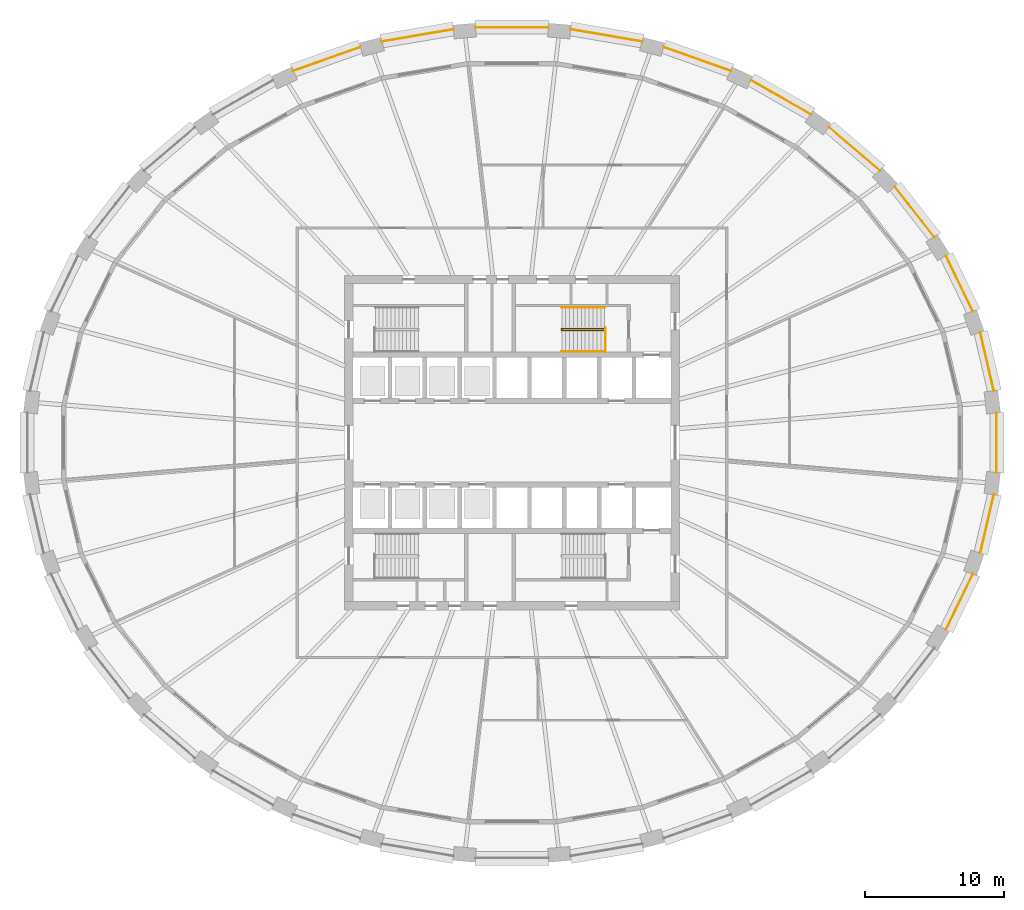
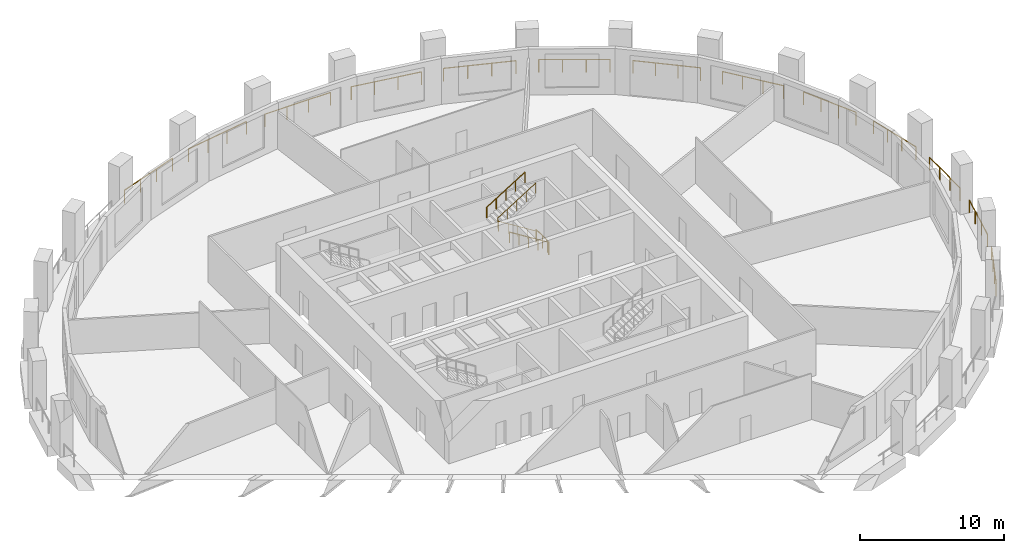
# One storey, part 9 of 10: 17 railings.
"""IFC4 building model written with IfcOpenShell, lengths in metres."""

from ifc_helpers import new_model, si_unit, direction, frame, origin, origin_2d, place, context, subcontext, project, spatial, circle, extrude, material, type_object, element, save


model = new_model("IFC4")

# Units and contexts
model_context = context("Model", 3, precision=1e-05, world=origin(), true_north=direction((0.0, 1.0)))
body_context = subcontext(model_context, "Body", "Model", "MODEL_VIEW")
ifc_project = project(units=[si_unit("LENGTHUNIT", "METRE"), si_unit("AREAUNIT", "SQUARE_METRE"), si_unit("VOLUMEUNIT", "CUBIC_METRE"), si_unit("PLANEANGLEUNIT", "RADIAN"), si_unit("MASSUNIT", "GRAM", prefix="KILO")], contexts=[model_context])

# Site, building, storey
site_placement = place(None, origin())
site = spatial("IfcSite", under=ifc_project, at=site_placement, CompositionType="ELEMENT")
building_placement = place(site_placement, origin())
building = spatial("IfcBuilding", under=site, at=building_placement, Name="Halqa Exchange Tower", CompositionType="ELEMENT")
storey_placement = place(building_placement, frame((0.0, 0.0, 125.5)))
storey = spatial("IfcBuildingStorey", under=building, at=storey_placement, Name="L28", CompositionType="ELEMENT", Elevation=125.5)

# Railings
ifc_material = material(Name="Stainless steel", Category="steel")
railing_type_1 = type_object("IfcRailingType", Name="Guard 1100 stainless steel", PredefinedType="GUARDRAIL", material=ifc_material)
railing_1_placement = place(storey_placement, frame((34.5537109375, 3.711669921875, 0.0)))
element("IfcRailing", 1, at=railing_1_placement, inside=storey, type_object=railing_type_1, Name="Loggia guard 1", PredefinedType="GUARDRAIL", context=body_context, shape_type="SweptSolid", body=[
    extrude(circle(Radius=0.02392578125, at=origin_2d()), frame((0.0, 0.0, 1.076171875), z_axis=(-0.22606051772, 0.974113259497, 0.0), x_axis=(-0.974113259497, -0.22606051772, 0.0)), (0.0, 0.0, 1.0), 4.3046875),
    extrude(circle(Radius=0.02099609375, at=origin_2d()), origin(), (0.0, 0.0, 1.0), 1.052001953125),
    extrude(circle(Radius=0.02099609375, at=origin_2d()), frame((-0.324462890625, 1.397705078125, 0.0)), (0.0, 0.0, 1.0), 1.052001953125),
    extrude(circle(Radius=0.02099609375, at=origin_2d()), frame((-0.648681640625, 2.795654296875, 0.0)), (0.0, 0.0, 1.0), 1.052001953125),
    extrude(circle(Radius=0.02099609375, at=origin_2d()), frame((-0.97314453125, 4.193359375, 0.0)), (0.0, 0.0, 1.0), 1.052001953125),
])
railing_2_placement = place(storey_placement, frame((33.051513671875, 9.404541015625, 0.0)))
element("IfcRailing", 2, at=railing_2_placement, inside=storey, type_object=railing_type_1, Name="Loggia guard 2", PredefinedType="GUARDRAIL", context=body_context, shape_type="SweptSolid", body=[
    extrude(circle(Radius=0.02392578125, at=origin_2d()), frame((0.0, 0.0, 1.076171875), z_axis=(-0.435102953397, 0.900380708337, 0.0), x_axis=(-0.900380708337, -0.435102953397, 0.0)), (0.0, 0.0, 1.0), 4.417724609375),
    extrude(circle(Radius=0.02099609375, at=origin_2d()), origin(), (0.0, 0.0, 1.0), 1.052001953125),
    extrude(circle(Radius=0.02099609375, at=origin_2d()), frame((-0.640625, 1.325927734375, 0.0)), (0.0, 0.0, 1.0), 1.052001953125),
    extrude(circle(Radius=0.02099609375, at=origin_2d()), frame((-1.281494140625, 2.651611328125, 0.0)), (0.0, 0.0, 1.0), 1.052001953125),
    extrude(circle(Radius=0.02099609375, at=origin_2d()), frame((-1.922119140625, 3.9775390625, 0.0)), (0.0, 0.0, 1.0), 1.052001953125),
])
railing_3_placement = place(storey_placement, frame((30.28955078125, 14.7333984375, 0.0)))
element("IfcRailing", 3, at=railing_3_placement, inside=storey, type_object=railing_type_1, Name="Loggia guard 3", PredefinedType="GUARDRAIL", context=body_context, shape_type="SweptSolid", body=[
    extrude(circle(Radius=0.02392578125, at=origin_2d()), frame((0.0, 0.0, 1.076171875), z_axis=(-0.614803240487, 0.788680528152, 0.0), x_axis=(-0.788680528152, -0.614803240487, 0.0)), (0.0, 0.0, 1.0), 4.5830078125),
    extrude(circle(Radius=0.02099609375, at=origin_2d()), origin(), (0.0, 0.0, 1.0), 1.052001953125),
    extrude(circle(Radius=0.02099609375, at=origin_2d()), frame((-0.939208984375, 1.204833984375, 0.0)), (0.0, 0.0, 1.0), 1.052001953125),
    extrude(circle(Radius=0.02099609375, at=origin_2d()), frame((-1.87841796875, 2.40966796875, 0.0)), (0.0, 0.0, 1.0), 1.052001953125),
    extrude(circle(Radius=0.02099609375, at=origin_2d()), frame((-2.817626953125, 3.614501953125, 0.0)), (0.0, 0.0, 1.0), 1.052001953125),
])
railing_4_placement = place(storey_placement, frame((26.372802734375, 19.49951171875, 0.0)))
element("IfcRailing", 4, at=railing_4_placement, inside=storey, type_object=railing_type_1, Name="Loggia guard 4", PredefinedType="GUARDRAIL", context=body_context, shape_type="SweptSolid", body=[
    extrude(circle(Radius=0.02392578125, at=origin_2d()), frame((0.0, 0.0, 1.076171875), z_axis=(-0.759252991119, 0.650795586553, 0.0), x_axis=(-0.650795586553, -0.759252991119, 0.0)), (0.0, 0.0, 1.0), 4.772216796875),
    extrude(circle(Radius=0.02099609375, at=origin_2d()), origin(), (0.0, 0.0, 1.0), 1.052001953125),
    extrude(circle(Radius=0.02099609375, at=origin_2d()), frame((-1.207763671875, 1.03515625, 0.0)), (0.0, 0.0, 1.0), 1.052001953125),
    extrude(circle(Radius=0.02099609375, at=origin_2d()), frame((-2.41552734375, 2.070556640625, 0.0)), (0.0, 0.0, 1.0), 1.052001953125),
    extrude(circle(Radius=0.02099609375, at=origin_2d()), frame((-3.623291015625, 3.105712890625, 0.0)), (0.0, 0.0, 1.0), 1.052001953125),
])
railing_5_placement = place(storey_placement, frame((21.44775390625, 23.5234375, 0.0)))
element("IfcRailing", 5, at=railing_5_placement, inside=storey, type_object=railing_type_1, Name="Loggia guard 5", PredefinedType="GUARDRAIL", context=body_context, shape_type="SweptSolid", body=[
    extrude(circle(Radius=0.02392578125, at=origin_2d()), frame((0.0, 0.0, 1.076171875), z_axis=(-0.867769821743, 0.496966333338, 0.0), x_axis=(-0.496966333338, -0.867769821743, 0.0)), (0.0, 0.0, 1.0), 4.955810546875),
    extrude(circle(Radius=0.02099609375, at=origin_2d()), origin(), (0.0, 0.0, 1.0), 1.052001953125),
    extrude(circle(Radius=0.02099609375, at=origin_2d()), frame((-1.43359375, 0.821044921875, 0.0)), (0.0, 0.0, 1.0), 1.052001953125),
    extrude(circle(Radius=0.02099609375, at=origin_2d()), frame((-2.866943359375, 1.641845703125, 0.0)), (0.0, 0.0, 1.0), 1.052001953125),
    extrude(circle(Radius=0.02099609375, at=origin_2d()), frame((-4.300537109375, 2.462890625, 0.0)), (0.0, 0.0, 1.0), 1.052001953125),
])
railing_6_placement = place(storey_placement, frame((15.69921875, 26.651611328125, 0.0)))
element("IfcRailing", 6, at=railing_6_placement, inside=storey, type_object=railing_type_1, Name="Loggia guard 6", PredefinedType="GUARDRAIL", context=body_context, shape_type="SweptSolid", body=[
    extrude(circle(Radius=0.02392578125, at=origin_2d()), frame((0.0, 0.0, 1.076171875), z_axis=(-0.942372826022, 0.334564577885, 0.0), x_axis=(-0.334564577885, -0.942372826022, 0.0)), (0.0, 0.0, 1.0), 5.108154296875),
    extrude(circle(Radius=0.02099609375, at=origin_2d()), origin(), (0.0, 0.0, 1.0), 1.052001953125),
    extrude(circle(Radius=0.02099609375, at=origin_2d()), frame((-1.6044921875, 0.569580078125, 0.0)), (0.0, 0.0, 1.0), 1.052001953125),
    extrude(circle(Radius=0.02099609375, at=origin_2d()), frame((-3.209228515625, 1.139404296875, 0.0)), (0.0, 0.0, 1.0), 1.052001953125),
    extrude(circle(Radius=0.02099609375, at=origin_2d()), frame((-4.813720703125, 1.708984375, 0.0)), (0.0, 0.0, 1.0), 1.052001953125),
])
railing_7_placement = place(storey_placement, frame((9.343017578125, 28.7626953125, 0.0)))
element("IfcRailing", 7, at=railing_7_placement, inside=storey, type_object=railing_type_1, Name="Loggia guard 7", PredefinedType="GUARDRAIL", context=body_context, shape_type="SweptSolid", body=[
    extrude(circle(Radius=0.02392578125, at=origin_2d()), frame((0.0, 0.0, 1.076171875), z_axis=(-0.985773772555, 0.168077569419, 0.0), x_axis=(-0.168077569419, -0.985773772555, 0.0)), (0.0, 0.0, 1.0), 5.207275390625),
    extrude(circle(Radius=0.02099609375, at=origin_2d()), origin(), (0.0, 0.0, 1.0), 1.052001953125),
    extrude(circle(Radius=0.02099609375, at=origin_2d()), frame((-1.711181640625, 0.291748046875, 0.0)), (0.0, 0.0, 1.0), 1.052001953125),
    extrude(circle(Radius=0.02099609375, at=origin_2d()), frame((-3.422119140625, 0.58349609375, 0.0)), (0.0, 0.0, 1.0), 1.052001953125),
    extrude(circle(Radius=0.02099609375, at=origin_2d()), frame((-5.13330078125, 0.875244140625, 0.0)), (0.0, 0.0, 1.0), 1.052001953125),
])
railing_8_placement = place(storey_placement, frame((2.62109375, 29.7724609375, 0.0)))
element("IfcRailing", 8, at=railing_8_placement, inside=storey, type_object=railing_type_1, Name="Loggia guard 8", PredefinedType="GUARDRAIL", context=body_context, shape_type="SweptSolid", body=[
    extrude(circle(Radius=0.02392578125, at=origin_2d()), frame((0.0, 0.0, 1.076171875), z_axis=(-1.0, 0.0, 0.0), x_axis=(0.0, -1.0, 0.0)), (0.0, 0.0, 1.0), 5.2421875),
    extrude(circle(Radius=0.02099609375, at=origin_2d()), origin(), (0.0, 0.0, 1.0), 1.052001953125),
    extrude(circle(Radius=0.02099609375, at=origin_2d()), frame((-1.747314453125, 0.0, 0.0)), (0.0, 0.0, 1.0), 1.052001953125),
    extrude(circle(Radius=0.02099609375, at=origin_2d()), frame((-3.494873046875, 0.0, 0.0)), (0.0, 0.0, 1.0), 1.052001953125),
    extrude(circle(Radius=0.02099609375, at=origin_2d()), frame((-5.2421875, 0.0, 0.0)), (0.0, 0.0, 1.0), 1.052001953125),
])
railing_9_placement = place(storey_placement, frame((-4.209716796875, 29.637939453125, 0.0)))
element("IfcRailing", 9, at=railing_9_placement, inside=storey, type_object=railing_type_1, Name="Loggia guard 9", PredefinedType="GUARDRAIL", context=body_context, shape_type="SweptSolid", body=[
    extrude(circle(Radius=0.02392578125, at=origin_2d()), frame((0.0, 0.0, 1.076171875), z_axis=(-0.985773772555, -0.168077569419, 0.0), x_axis=(0.168077569419, -0.985773772555, 0.0)), (0.0, 0.0, 1.0), 5.207275390625),
    extrude(circle(Radius=0.02099609375, at=origin_2d()), origin(), (0.0, 0.0, 1.0), 1.052001953125),
    extrude(circle(Radius=0.02099609375, at=origin_2d()), frame((-1.711181640625, -0.291748046875, 0.0)), (0.0, 0.0, 1.0), 1.052001953125),
    extrude(circle(Radius=0.02099609375, at=origin_2d()), frame((-3.422119140625, -0.58349609375, 0.0)), (0.0, 0.0, 1.0), 1.052001953125),
    extrude(circle(Radius=0.02099609375, at=origin_2d()), frame((-5.13330078125, -0.875244140625, 0.0)), (0.0, 0.0, 1.0), 1.052001953125),
])
railing_10_placement = place(storey_placement, frame((-10.885498046875, 28.360595703125, 0.0)))
element("IfcRailing", 10, at=railing_10_placement, inside=storey, type_object=railing_type_1, Name="Loggia guard 10", PredefinedType="GUARDRAIL", context=body_context, shape_type="SweptSolid", body=[
    extrude(circle(Radius=0.02392578125, at=origin_2d()), frame((0.0, 0.0, 1.076171875), z_axis=(-0.942372826022, -0.334564577885, 0.0), x_axis=(0.334564577885, -0.942372826022, 0.0)), (0.0, 0.0, 1.0), 5.108154296875),
    extrude(circle(Radius=0.02099609375, at=origin_2d()), origin(), (0.0, 0.0, 1.0), 1.052001953125),
    extrude(circle(Radius=0.02099609375, at=origin_2d()), frame((-1.6044921875, -0.569580078125, 0.0)), (0.0, 0.0, 1.0), 1.052001953125),
    extrude(circle(Radius=0.02099609375, at=origin_2d()), frame((-3.209228515625, -1.139404296875, 0.0)), (0.0, 0.0, 1.0), 1.052001953125),
    extrude(circle(Radius=0.02099609375, at=origin_2d()), frame((-4.813720703125, -1.708984375, 0.0)), (0.0, 0.0, 1.0), 1.052001953125),
])
railing_11_placement = place(storey_placement, frame((31.12939453125, -13.382080078125, 0.0)))
element("IfcRailing", 11, at=railing_11_placement, inside=storey, type_object=railing_type_1, Name="Loggia guard 30", PredefinedType="GUARDRAIL", context=body_context, shape_type="SweptSolid", body=[
    extrude(circle(Radius=0.02392578125, at=origin_2d()), frame((0.0, 0.0, 1.076171875), z_axis=(0.435102953397, 0.900380708337, 0.0), x_axis=(-0.900380708337, 0.435102953397, 0.0)), (0.0, 0.0, 1.0), 4.417724609375),
    extrude(circle(Radius=0.02099609375, at=origin_2d()), origin(), (0.0, 0.0, 1.0), 1.052001953125),
    extrude(circle(Radius=0.02099609375, at=origin_2d()), frame((0.640625, 1.325927734375, 0.0)), (0.0, 0.0, 1.0), 1.052001953125),
    extrude(circle(Radius=0.02099609375, at=origin_2d()), frame((1.281494140625, 2.651611328125, 0.0)), (0.0, 0.0, 1.0), 1.052001953125),
    extrude(circle(Radius=0.02099609375, at=origin_2d()), frame((1.922119140625, 3.9775390625, 0.0)), (0.0, 0.0, 1.0), 1.052001953125),
])
railing_12_placement = place(storey_placement, frame((33.58056640625, -7.905029296875, 0.0)))
element("IfcRailing", 12, at=railing_12_placement, inside=storey, type_object=railing_type_1, Name="Loggia guard 31", PredefinedType="GUARDRAIL", context=body_context, shape_type="SweptSolid", body=[
    extrude(circle(Radius=0.02392578125, at=origin_2d()), frame((0.0, 0.0, 1.076171875), z_axis=(0.22606051772, 0.974113259497, 0.0), x_axis=(-0.974113259497, 0.22606051772, 0.0)), (0.0, 0.0, 1.0), 4.3046875),
    extrude(circle(Radius=0.02099609375, at=origin_2d()), origin(), (0.0, 0.0, 1.0), 1.052001953125),
    extrude(circle(Radius=0.02099609375, at=origin_2d()), frame((0.324462890625, 1.397705078125, 0.0)), (0.0, 0.0, 1.0), 1.052001953125),
    extrude(circle(Radius=0.02099609375, at=origin_2d()), frame((0.648681640625, 2.795654296875, 0.0)), (0.0, 0.0, 1.0), 1.052001953125),
    extrude(circle(Radius=0.02099609375, at=origin_2d()), frame((0.97314453125, 4.193359375, 0.0)), (0.0, 0.0, 1.0), 1.052001953125),
])
railing_13_placement = place(storey_placement, frame((34.734619140625, -2.13232421875, 0.0)))
element("IfcRailing", 13, at=railing_13_placement, inside=storey, type_object=railing_type_1, Name="Loggia guard 32", PredefinedType="GUARDRAIL", context=body_context, shape_type="SweptSolid", body=[
    extrude(circle(Radius=0.02392578125, at=origin_2d()), frame((0.0, 0.0, 1.076171875), z_axis=(0.0, 1.0, 0.0), x_axis=(-1.0, 0.0, 0.0)), (0.0, 0.0, 1.0), 4.2646484375),
    extrude(circle(Radius=0.02099609375, at=origin_2d()), origin(), (0.0, 0.0, 1.0), 1.052001953125),
    extrude(circle(Radius=0.02099609375, at=origin_2d()), frame((0.0, 1.421630859375, 0.0)), (0.0, 0.0, 1.0), 1.052001953125),
    extrude(circle(Radius=0.02099609375, at=origin_2d()), frame((0.0, 2.843017578125, 0.0)), (0.0, 0.0, 1.0), 1.052001953125),
    extrude(circle(Radius=0.02099609375, at=origin_2d()), frame((0.0, 4.2646484375, 0.0)), (0.0, 0.0, 1.0), 1.052001953125),
])
railing_type_2 = type_object("IfcRailingType", Name="Stair handrail 900", PredefinedType="HANDRAIL", material=ifc_material)
railing_14_placement = place(storey_placement, frame((6.64990234375, 8.06005859375, 0.175048828125)))
element("IfcRailing", 14, at=railing_14_placement, inside=storey, type_object=railing_type_2, Name="Handrail ST2.1", PredefinedType="HANDRAIL", context=body_context, shape_type="SweptSolid", body=[
    extrude(circle(Radius=0.02392578125, at=origin_2d()), frame((0.0, 0.0, 0.8759765625), z_axis=(-0.847979421464, 0.0, 0.530029150871), x_axis=(0.0, -1.0, 0.0)), (0.0, 0.0, 1.0), 3.632080078125),
    extrude(circle(Radius=0.02392578125, at=origin_2d()), frame((-3.079833984375, 0.0, 2.80078125), z_axis=(0.0, 0.596406559517, 0.802682512433), x_axis=(-1.0, 0.0, 0.0)), (0.0, 0.0, 1.0), 0.2177734375),
    extrude(circle(Radius=0.02392578125, at=origin_2d()), frame((-3.079833984375, 0.1298828125, 2.9755859375), z_axis=(0.847979421464, 0.0, 0.530029150871), x_axis=(0.0, 1.0, 0.0)), (0.0, 0.0, 1.0), 3.632080078125),
    extrude(circle(Radius=0.02099609375, at=origin_2d()), origin(), (0.0, 0.0, 1.0), 0.851806640625),
    extrude(circle(Radius=0.02099609375, at=origin_2d()), frame((-0.77001953125, 0.0, 0.481201171875)), (0.0, 0.0, 1.0), 0.851806640625),
    extrude(circle(Radius=0.02099609375, at=origin_2d()), frame((-1.5400390625, 0.0, 0.96240234375)), (0.0, 0.0, 1.0), 0.851806640625),
    extrude(circle(Radius=0.02099609375, at=origin_2d()), frame((-2.309814453125, 0.0, 1.44384765625)), (0.0, 0.0, 1.0), 0.851806640625),
    extrude(circle(Radius=0.02099609375, at=origin_2d()), frame((-3.079833984375, 0.0, 1.925048828125)), (0.0, 0.0, 1.0), 0.851806640625),
    extrude(circle(Radius=0.02099609375, at=origin_2d()), frame((-3.079833984375, 0.1298828125, 2.099853515625)), (0.0, 0.0, 1.0), 0.851806640625),
    extrude(circle(Radius=0.02099609375, at=origin_2d()), frame((-2.309814453125, 0.1298828125, 2.5810546875)), (0.0, 0.0, 1.0), 0.851806640625),
    extrude(circle(Radius=0.02099609375, at=origin_2d()), frame((-1.5400390625, 0.1298828125, 3.0625)), (0.0, 0.0, 1.0), 0.851806640625),
    extrude(circle(Radius=0.02099609375, at=origin_2d()), frame((-0.77001953125, 0.1298828125, 3.543701171875)), (0.0, 0.0, 1.0), 0.851806640625),
    extrude(circle(Radius=0.02099609375, at=origin_2d()), frame((0.0, 0.1298828125, 4.02490234375)), (0.0, 0.0, 1.0), 0.851806640625),
])
railing_15_placement = place(storey_placement, frame((6.64990234375, 6.550048828125, 0.175048828125)))
element("IfcRailing", 15, at=railing_15_placement, inside=storey, type_object=railing_type_2, Name="Handrail ST2.2", PredefinedType="HANDRAIL", context=body_context, shape_type="SweptSolid", body=[
    extrude(circle(Radius=0.02392578125, at=origin_2d()), frame((0.0, 0.0, 0.8759765625), z_axis=(-0.847979421464, 0.0, 0.530029150871), x_axis=(0.0, -1.0, 0.0)), (0.0, 0.0, 1.0), 3.632080078125),
    extrude(circle(Radius=0.02099609375, at=origin_2d()), origin(), (0.0, 0.0, 1.0), 0.851806640625),
    extrude(circle(Radius=0.02099609375, at=origin_2d()), frame((-0.77001953125, 0.0, 0.481201171875)), (0.0, 0.0, 1.0), 0.851806640625),
    extrude(circle(Radius=0.02099609375, at=origin_2d()), frame((-1.5400390625, 0.0, 0.96240234375)), (0.0, 0.0, 1.0), 0.851806640625),
    extrude(circle(Radius=0.02099609375, at=origin_2d()), frame((-2.309814453125, 0.0, 1.44384765625)), (0.0, 0.0, 1.0), 0.851806640625),
    extrude(circle(Radius=0.02099609375, at=origin_2d()), frame((-3.079833984375, 0.0, 1.925048828125)), (0.0, 0.0, 1.0), 0.851806640625),
])
railing_16_placement = place(storey_placement, frame((3.570068359375, 9.699951171875, 2.27490234375)))
element("IfcRailing", 16, at=railing_16_placement, inside=storey, type_object=railing_type_2, Name="Handrail ST2.3", PredefinedType="HANDRAIL", context=body_context, shape_type="SweptSolid", body=[
    extrude(circle(Radius=0.02392578125, at=origin_2d()), frame((0.0, 0.0, 0.8759765625), z_axis=(0.847979421464, 0.0, 0.530029150871), x_axis=(0.0, 1.0, 0.0)), (0.0, 0.0, 1.0), 3.632080078125),
    extrude(circle(Radius=0.02099609375, at=origin_2d()), origin(), (0.0, 0.0, 1.0), 0.851806640625),
    extrude(circle(Radius=0.02099609375, at=origin_2d()), frame((0.77001953125, 0.0, 0.481201171875)), (0.0, 0.0, 1.0), 0.851806640625),
    extrude(circle(Radius=0.02099609375, at=origin_2d()), frame((1.5400390625, 0.0, 0.96240234375)), (0.0, 0.0, 1.0), 0.851806640625),
    extrude(circle(Radius=0.02099609375, at=origin_2d()), frame((2.309814453125, 0.0, 1.44384765625)), (0.0, 0.0, 1.0), 0.851806640625),
    extrude(circle(Radius=0.02099609375, at=origin_2d()), frame((3.079833984375, 0.0, 1.925048828125)), (0.0, 0.0, 1.0), 0.851806640625),
])
railing_type_3 = type_object("IfcRailingType", Name="Stair well guard 1100", PredefinedType="GUARDRAIL", material=ifc_material)
railing_17_placement = place(storey_placement, frame((6.699951171875, 6.5, 0.0)))
element("IfcRailing", 17, at=railing_17_placement, inside=storey, type_object=railing_type_3, Name="Guard ST2 well", PredefinedType="GUARDRAIL", context=body_context, shape_type="SweptSolid", body=[
    extrude(circle(Radius=0.02392578125, at=origin_2d()), frame((0.0, 0.0, 1.076171875), z_axis=(0.0, 1.0, 0.0), x_axis=(-1.0, 0.0, 0.0)), (0.0, 0.0, 1.0), 1.75),
    extrude(circle(Radius=0.02099609375, at=origin_2d()), origin(), (0.0, 0.0, 1.0), 1.052001953125),
    extrude(circle(Radius=0.02099609375, at=origin_2d()), frame((0.0, 0.875, 0.0)), (0.0, 0.0, 1.0), 1.052001953125),
    extrude(circle(Radius=0.02099609375, at=origin_2d()), frame((0.0, 1.75, 0.0)), (0.0, 0.0, 1.0), 1.052001953125),
])

save(model, "model.ifc")
